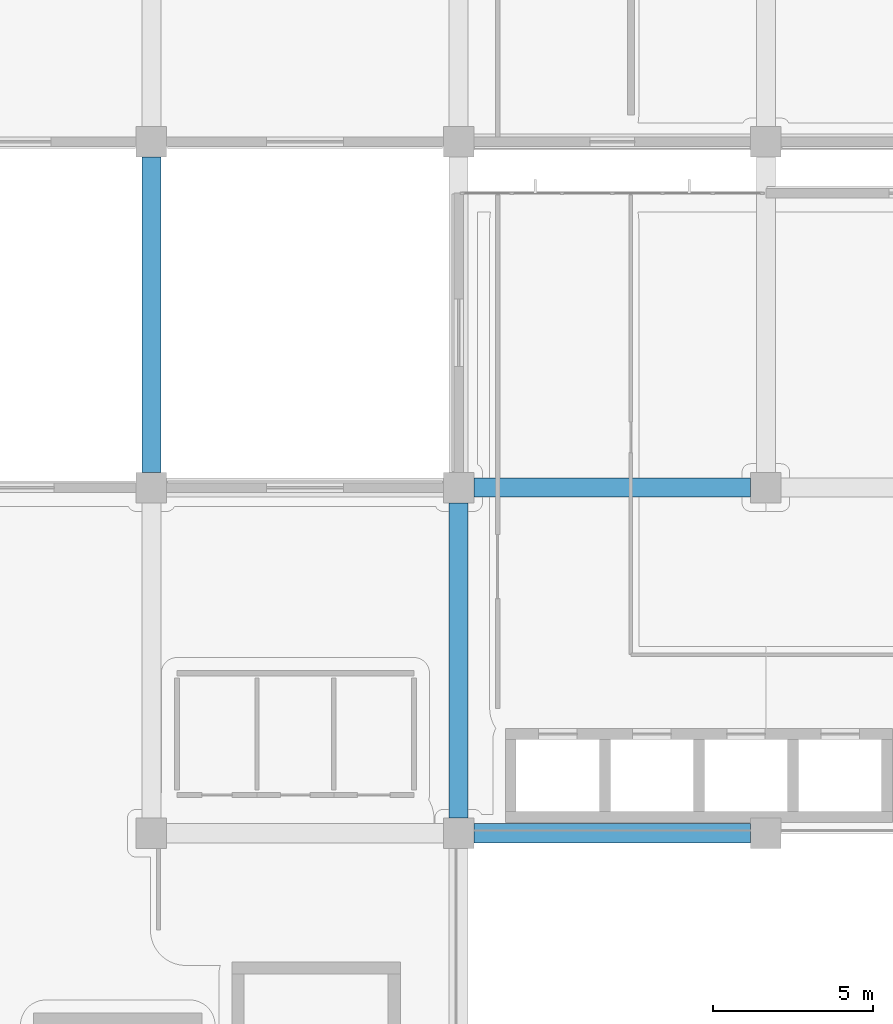
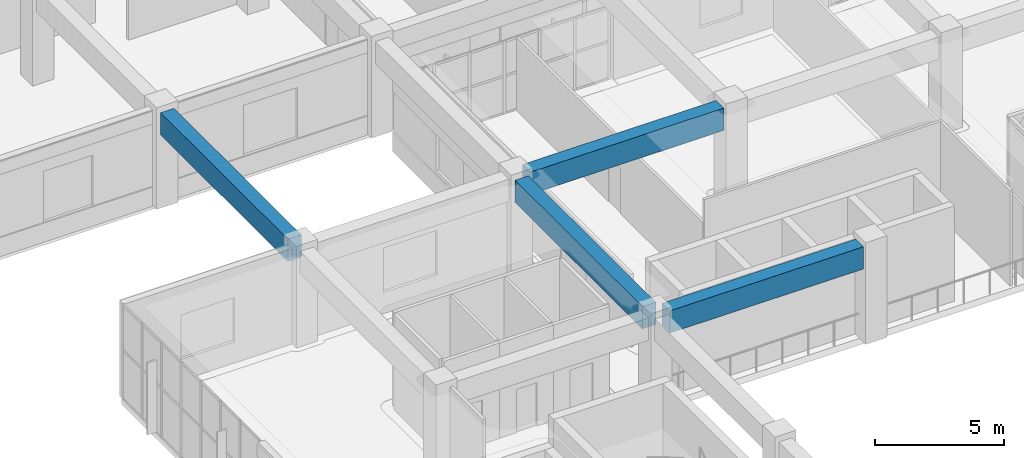
# One storey, part 12 of 86: 4 beams.
"""IFC4 building model written with IfcOpenShell, lengths in metres."""

from ifc_helpers import new_model, si_unit, direction, frame, origin, origin_2d, place, context, subcontext, project, spatial, rectangle, extrude, material, material_profile, profile_set, type_object, element, save


model = new_model("IFC4")

# Units and contexts
model_context = context("Model", 3, precision=1e-05, world=origin(), true_north=direction((0.0, 1.0)))
body_context = subcontext(model_context, "Body", "Model", "MODEL_VIEW")
ifc_project = project(units=[si_unit("LENGTHUNIT", "METRE"), si_unit("AREAUNIT", "SQUARE_METRE"), si_unit("VOLUMEUNIT", "CUBIC_METRE"), si_unit("PLANEANGLEUNIT", "RADIAN"), si_unit("MASSUNIT", "GRAM", prefix="KILO")], contexts=[model_context])

# Site, building, storey
site_placement = place(None, origin())
site = spatial("IfcSite", under=ifc_project, at=site_placement, CompositionType="ELEMENT")
building_placement = place(site_placement, origin())
building = spatial("IfcBuilding", under=site, at=building_placement, Name="Cendralis Terraced Arcade", CompositionType="ELEMENT")
storey_placement = place(building_placement, frame((0.0, 0.0, 5.39990234375)))
storey = spatial("IfcBuildingStorey", under=building, at=storey_placement, Name="L01", CompositionType="ELEMENT", Elevation=5.39990234375)

# Beams
ifc_material = material(Name="Concrete f'c 35 MPa", Category="concrete")
ifc_material_profile = material_profile(ifc_material, rectangle(XDim=0.60009765625, YDim=1.050048828125, at=origin_2d()), Name="RC-BM-600x1050", Category="LoadBearing")
ifc_profile_set = profile_set([ifc_material_profile], Name="Concrete f'c 35 MPa")
beam_type = type_object("IfcBeamType", Name="BM-600x1050", PredefinedType="JOIST", material=ifc_profile_set)
for number, where, z_axis, x_axis, name in (
    (1, (19.675048828125, 38.39990234375, 3.97998046875), (1.0, 0.0, 0.0), (0.0, 1.0, 0.0), "Reinforced Concrete Frame Beam BM-X-L02-E-3_4"),
    (2, (19.675048828125, 49.199951171875, 3.97998046875), (1.0, 0.0, 0.0), (0.0, 1.0, 0.0), "Reinforced Concrete Frame Beam BM-X-L02-F-3_4"),
):
    element("IfcBeam", number, at=place(storey_placement, frame(where, z_axis=z_axis, x_axis=x_axis)), inside=storey, type_object=beam_type, Name=name, PredefinedType="JOIST", context=body_context, shape_type="SweptSolid", body=[
        extrude(rectangle(XDim=0.60009765625, YDim=1.050048828125, at=origin_2d()), origin(), (0.0, 0.0, 1.0), 8.64990234375),
    ])
beam_1_placement = place(storey_placement, frame((9.60009765625, 49.675048828125, 3.97998046875), z_axis=(0.0, 1.0, 0.0), x_axis=(-1.0, 0.0, 0.0)))
element("IfcBeam", 3, at=beam_1_placement, inside=storey, type_object=beam_type, Name="Reinforced Concrete Frame Beam BM-Y-L02-2-F_G", PredefinedType="JOIST", context=body_context, shape_type="SweptSolid", body=[
    extrude(rectangle(XDim=0.60009765625, YDim=1.050048828125, at=origin_2d()), origin(), (0.0, 0.0, 1.0), 9.849853515625),
])
beam_2_placement = place(storey_placement, frame((19.199951171875, 38.875, 3.97998046875), z_axis=(0.0, 1.0, 0.0), x_axis=(-1.0, 0.0, 0.0)))
element("IfcBeam", 4, at=beam_2_placement, inside=storey, type_object=beam_type, Name="Reinforced Concrete Frame Beam BM-Y-L02-3-E_F", PredefinedType="JOIST", context=body_context, shape_type="SweptSolid", body=[
    extrude(rectangle(XDim=0.60009765625, YDim=1.050048828125, at=origin_2d()), origin(), (0.0, 0.0, 1.0), 9.85009765625),
])

save(model, "model.ifc")
